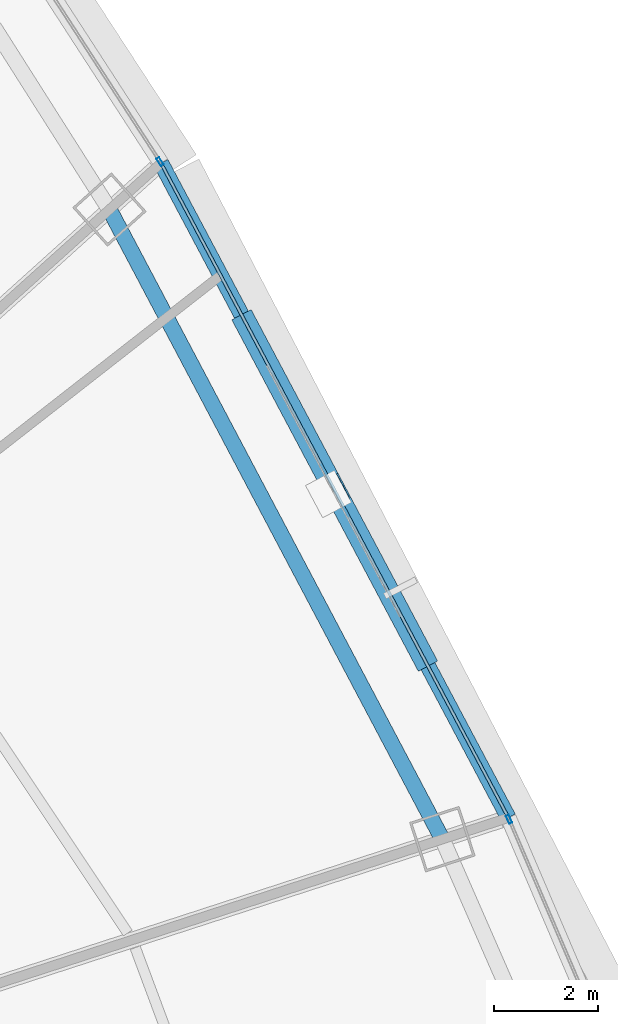
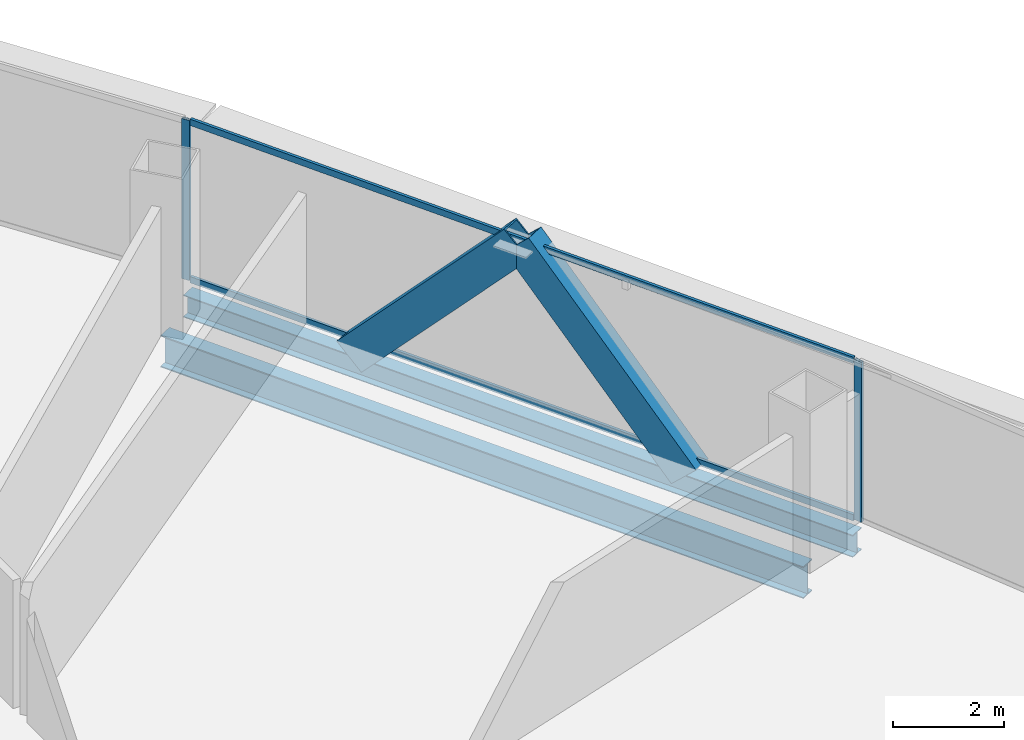
# One storey, part 26 of 41: 6 members, 2 beams, 3 elements without a shape of their own.
"""IFC4 building model written with IfcOpenShell, lengths in metres."""

import ifcopenshell
import ifcopenshell.guid

model = None  # the IFC model being written
_history = None  # IfcOwnerHistory: only IFC2X3 demands one
_inside = {}  # id of a spatial element -> (the spatial element, [elements in it])
_under = {}  # id of a project, library or spatial element -> (it, [spatial elements below it])
_declared = {}  # id of a project -> (the project, [libraries it declares])
_typed = {}  # id of a type object -> (the type object, [elements of that type])
_made_of = {}  # id of a material, layer set ... -> (it, [elements and type objects made of it])


def new_model(schema):
    """Start an empty IFC model of exactly this schema.

    Asked for "IFC4X3", IfcOpenShell would pick the latest addendum, in which some entities
    have other attributes; the version numbers below select the first issue.
    IFC2X3 requires an IfcOwnerHistory on every rooted entity: one is made here for all.
    """
    global model, _history
    if schema == "IFC4X3":
        model = ifcopenshell.file(schema_version=(4, 3, 0, 0))
    else:
        model = ifcopenshell.file(schema=schema)
    _inside.clear()
    _under.clear()
    _declared.clear()
    _typed.clear()
    _made_of.clear()
    _history = None
    if model.schema == "IFC2X3":
        org = make("IfcOrganization", Name="unknown")
        user = make(
            "IfcPersonAndOrganization",
            ThePerson=make("IfcPerson", FamilyName="unknown"),
            TheOrganization=org,
        )
        app = make(
            "IfcApplication",
            ApplicationDeveloper=org,
            Version="unknown",
            ApplicationFullName="unknown",
            ApplicationIdentifier="unknown",
        )
        _history = make(
            "IfcOwnerHistory",
            OwningUser=user,
            OwningApplication=app,
            ChangeAction="ADDED",
            CreationDate=0,
        )
    return model


def make(cls, **values):
    """One entity of the class cls with the attributes given. An attribute that is None is left unset."""
    return model.create_entity(
        cls, **{name: value for name, value in values.items() if value is not None}
    )


def rooted(cls, **values):
    """An entity with a GlobalId (a new one), such as an element, a storey or a relation."""
    return make(cls, GlobalId=ifcopenshell.guid.new(), OwnerHistory=_history, **values)


def si_unit(unit_type, name, prefix=None):
    """IfcSIUnit, for example si_unit("LENGTHUNIT", "METRE", prefix="MILLI")."""
    return make("IfcSIUnit", UnitType=unit_type, Prefix=prefix, Name=name)


def assignment(units):
    """IfcUnitAssignment: the units of a project."""
    return None if units is None else make("IfcUnitAssignment", Units=units)


def point(xyz):
    """IfcCartesianPoint."""
    return None if xyz is None else make("IfcCartesianPoint", Coordinates=xyz)


def direction(xyz):
    """IfcDirection."""
    return None if xyz is None else make("IfcDirection", DirectionRatios=xyz)


def frame(location, z_axis=None, x_axis=None):
    """IfcAxis2Placement3D, a coordinate frame: its origin and axes. An axis left out is left unset."""
    return make(
        "IfcAxis2Placement3D",
        Location=point(location),
        Axis=direction(z_axis),
        RefDirection=direction(x_axis),
    )


def frame_2d(location, x_axis=None):
    """IfcAxis2Placement2D, a coordinate frame in the plane: its origin and x axis."""
    return make(
        "IfcAxis2Placement2D", Location=point(location), RefDirection=direction(x_axis)
    )


def origin():
    """The frame at (0, 0, 0) with its axes left unset."""
    return frame((0.0, 0.0, 0.0))


def origin_2d():
    """The frame at (0, 0) in the plane with its x axis left unset."""
    return frame_2d((0.0, 0.0))


def place(relative_to, where):
    """IfcLocalPlacement: puts the frame where relative to a parent placement (None: the world)."""
    return make(
        "IfcLocalPlacement", PlacementRelTo=relative_to, RelativePlacement=where
    )


def context(
    kind, dimensions, precision=None, world=None, true_north=None, identifier=None
):
    """IfcGeometricRepresentationContext, for example the 3D "Model" context."""
    return make(
        "IfcGeometricRepresentationContext",
        ContextIdentifier=identifier,
        ContextType=kind,
        CoordinateSpaceDimension=dimensions,
        Precision=precision,
        WorldCoordinateSystem=world,
        TrueNorth=true_north,
    )


def subcontext(parent, identifier, kind, view, scale=None):
    """IfcGeometricRepresentationSubContext, for example "Body" below "Model"."""
    return make(
        "IfcGeometricRepresentationSubContext",
        ContextIdentifier=identifier,
        ContextType=kind,
        ParentContext=parent,
        TargetScale=scale,
        TargetView=view,
    )


def project(units=None, contexts=None):
    """IfcProject with its units and contexts."""
    return rooted(
        "IfcProject",
        Name="project",
        RepresentationContexts=contexts,
        UnitsInContext=assignment(units),
    )


def spatial(cls, under=None, at=None, **own):
    """A site, building, storey or space (cls), placed at a placement, below another one or the project."""
    s = rooted(cls, ObjectPlacement=at, **own)
    if under is not None:
        _under.setdefault(under.id(), (under, []))[1].append(s)
    return s


def profile(cls, at=None, kind="AREA", **sizes):
    """A parametric profile (cls). Its sizes go by their IFC names, for example OverallWidth=200.0."""
    return make(cls, ProfileType=kind, Position=at, **sizes)


def hollow_rectangle(**sizes):
    """IfcRectangleHollowProfileDef."""
    return profile("IfcRectangleHollowProfileDef", **sizes)


def i_section(**sizes):
    """IfcIShapeProfileDef."""
    return profile("IfcIShapeProfileDef", **sizes)


def extrude(swept, where, along, depth):
    """IfcExtrudedAreaSolid: the profile swept, set in the frame where, extruded along a direction by depth."""
    return make(
        "IfcExtrudedAreaSolid",
        SweptArea=swept,
        Position=where,
        ExtrudedDirection=direction(along),
        Depth=depth,
    )


def shape(context_of_items, identifier, shape_type, items):
    """IfcShapeRepresentation: the items that make up one representation, for example the "Body"."""
    return make(
        "IfcShapeRepresentation",
        ContextOfItems=context_of_items,
        RepresentationIdentifier=identifier,
        RepresentationType=shape_type,
        Items=items,
    )


def source(mapping_origin, context_of_items, identifier, shape_type, items):
    """IfcRepresentationMap: a shape defined once, which mapped items show again and again."""
    return make(
        "IfcRepresentationMap",
        MappingOrigin=mapping_origin,
        MappedRepresentation=shape(context_of_items, identifier, shape_type, items),
    )


def transform(
    local_origin,
    x_axis=None,
    y_axis=None,
    z_axis=None,
    scale=None,
    scale2=None,
    scale3=None,
    uniform=True,
):
    """IfcCartesianTransformationOperator3D, or its non-uniform kind. x_axis, y_axis, z_axis: its Axis1, 2, 3."""
    if uniform:
        return make(
            "IfcCartesianTransformationOperator3D",
            Axis1=direction(x_axis),
            Axis2=direction(y_axis),
            LocalOrigin=point(local_origin),
            Scale=scale,
            Axis3=direction(z_axis),
        )
    return make(
        "IfcCartesianTransformationOperator3DnonUniform",
        Axis1=direction(x_axis),
        Axis2=direction(y_axis),
        LocalOrigin=point(local_origin),
        Scale=scale,
        Axis3=direction(z_axis),
        Scale2=scale2,
        Scale3=scale3,
    )


def mapped(mapping_source, mapping_target):
    """IfcMappedItem: shows the shape of a source again, moved by a transform."""
    return make(
        "IfcMappedItem", MappingSource=mapping_source, MappingTarget=mapping_target
    )


def material(Name=None, Category=None):
    """IfcMaterial."""
    return make("IfcMaterial", Name=Name, Category=Category)


def layer(
    of_material, thickness, ventilated=None, Name=None, Category=None, Priority=None
):
    """IfcMaterialLayer: one layer of a wall or slab, of a material (None: an air gap)."""
    return make(
        "IfcMaterialLayer",
        Material=of_material,
        LayerThickness=thickness,
        IsVentilated=ventilated,
        Name=Name,
        Category=Category,
        Priority=Priority,
    )


def layer_set(layers, Name=None):
    """IfcMaterialLayerSet."""
    return make("IfcMaterialLayerSet", MaterialLayers=layers, LayerSetName=Name)


def material_profile(
    of_material, cross_section, Name=None, Category=None, Priority=None
):
    """IfcMaterialProfile: a cross section and its material."""
    return make(
        "IfcMaterialProfile",
        Name=Name,
        Material=of_material,
        Profile=cross_section,
        Priority=Priority,
        Category=Category,
    )


def profile_set(profiles, Name=None, composite=None):
    """IfcMaterialProfileSet."""
    return make(
        "IfcMaterialProfileSet",
        Name=Name,
        MaterialProfiles=profiles,
        CompositeProfile=composite,
    )


def made_of(thing, what):
    """Note that an element or type object is made of a material, layer set ...; save() writes the relation."""
    if what is not None:
        _made_of.setdefault(what.id(), (what, []))[1].append(thing)
    return thing


def type_object(cls, material=None, **own):
    """A type object (cls), such as IfcWallType, which elements share."""
    return made_of(rooted(cls, **own), material)


def element(
    cls,
    number,
    at=None,
    inside=None,
    cuts=None,
    type_object=None,
    material=None,
    context=None,
    identifier="Body",
    shape_type=None,
    held_by="IfcProductDefinitionShape",
    body=None,
    shapes=None,
    **own,
):
    """One element of the class cls, such as IfcWall. Its Tag is "e" and its number.

    at: its placement. inside: the storey or other place that contains it. cuts: it is an
    opening in that element (IfcRelVoidsElement). A single representation is given by context,
    identifier, shape_type and body (its items); several are given by shapes. held_by: the class
    of the entity that holds the representations. save() writes the other relations.
    """
    e = rooted(cls, Tag="e%d" % number, ObjectPlacement=at, **own)
    if body is not None:
        shapes = [shape(context, identifier, shape_type, body)]
    if shapes is not None:
        e.Representation = make(held_by, Representations=shapes)
    if inside is not None:
        _inside.setdefault(inside.id(), (inside, []))[1].append(e)
    if cuts is not None:
        rooted(
            "IfcRelVoidsElement", RelatingBuildingElement=cuts, RelatedOpeningElement=e
        )
    if type_object is not None:
        _typed.setdefault(type_object.id(), (type_object, []))[1].append(e)
    return made_of(e, material)


def aggregate(whole, parts):
    """IfcRelAggregates: a whole, such as a stair, and the parts it consists of."""
    return rooted("IfcRelAggregates", RelatingObject=whole, RelatedObjects=parts)


def save(model, path):
    """Write the relations noted so far, then the file.

    IfcRelAggregates (storeys below a building ...), IfcRelContainedInSpatialStructure (elements
    in a storey), IfcRelDefinesByType, IfcRelAssociatesMaterial and IfcRelDeclares: one each for
    every whole, place, type object, material and project.
    """
    for whole, parts in _under.values():
        aggregate(whole, parts)
    for where, things in _inside.values():
        rooted(
            "IfcRelContainedInSpatialStructure",
            RelatedElements=things,
            RelatingStructure=where,
        )
    for kind, things in _typed.values():
        rooted("IfcRelDefinesByType", RelatedObjects=things, RelatingType=kind)
    for what, things in _made_of.values():
        rooted("IfcRelAssociatesMaterial", RelatedObjects=things, RelatingMaterial=what)
    for by, libraries in _declared.values():
        rooted("IfcRelDeclares", RelatingContext=by, RelatedDefinitions=libraries)
    model.write(path)


model = new_model("IFC4")

# Units and contexts
model_context = context("Model", 3, precision=1e-05, world=origin(), true_north=direction((0.0, 1.0)))
body_context = subcontext(model_context, "Body", "Model", "MODEL_VIEW")
ifc_project = project(units=[si_unit("LENGTHUNIT", "METRE"), si_unit("AREAUNIT", "SQUARE_METRE"), si_unit("VOLUMEUNIT", "CUBIC_METRE"), si_unit("PLANEANGLEUNIT", "RADIAN"), si_unit("MASSUNIT", "GRAM", prefix="KILO"), si_unit("THERMODYNAMICTEMPERATUREUNIT", "KELVIN"), si_unit("POWERUNIT", "WATT")], contexts=[model_context])

# Site, building, storey
site_placement = place(None, origin())
site = spatial("IfcSite", under=ifc_project, at=site_placement, CompositionType="ELEMENT")
building_placement = place(site_placement, origin())
building = spatial("IfcBuilding", under=site, at=building_placement, Name="Yunzhuo Pagoda Commons", CompositionType="ELEMENT")
storey_placement = place(building_placement, frame((0.0, 0.0, 115.3798828125)))
storey = spatial("IfcBuildingStorey", under=building, at=storey_placement, Name="L29", CompositionType="ELEMENT", Elevation=115.3798828125)

# Beams
ifc_material_1 = material(Name="Structural steel Q355B", Category="steel")
ifc_material_profile_1 = material_profile(ifc_material_1, i_section(OverallWidth=0.300048828125, OverallDepth=0.699951171875, WebThickness=0.012939453125, FlangeThickness=0.02392578125, at=origin_2d()), Name="Structural steel Q355B")
ifc_profile_set_1 = profile_set([ifc_material_profile_1], Name="Structural steel Q355B")
beam_type_1 = type_object("IfcBeamType", Name="B-RG1 Beam HN 700x300x13x24", PredefinedType="BEAM", material=ifc_profile_set_1)
shared_shape_1 = source(origin(), body_context, "Body", "SweptSolid", [
    extrude(i_section(OverallWidth=0.300048828125, OverallDepth=0.699951171875, WebThickness=0.012939453125, FlangeThickness=0.02392578125, at=origin_2d()), origin(), (0.0, 0.0, 1.0), 13.66748046875),
])
beam_1_placement = place(storey_placement, frame((78.99072265625, 43.76953125, -0.609619140625), z_axis=(-0.467383716456, 0.88405455804, 0.0), x_axis=(-0.88405455804, -0.467383716456, 0.0)))
element("IfcBeam", 1, at=beam_1_placement, inside=storey, type_object=beam_type_1, Name="L29 column-ring beam 6", PredefinedType="BEAM", context=body_context, shape_type="MappedRepresentation", body=[
    mapped(shared_shape_1, transform((0.0, 0.0, 0.0), scale=1.0)),
])
ifc_material_profile_2 = material_profile(ifc_material_1, i_section(OverallWidth=0.300048828125, OverallDepth=0.488037109375, WebThickness=0.010986328125, FlangeThickness=0.01806640625, at=origin_2d()), Name="Structural steel Q355B")
ifc_profile_set_2 = profile_set([ifc_material_profile_2], Name="Structural steel Q355B")
beam_type_2 = type_object("IfcBeamType", Name="B-SP1 Beam HM 488x300x11x18", PredefinedType="BEAM", material=ifc_profile_set_2)
shared_shape_2 = source(origin(), body_context, "Body", "SweptSolid", [
    extrude(i_section(OverallWidth=0.300048828125, OverallDepth=0.488037109375, WebThickness=0.010986328125, FlangeThickness=0.01806640625, at=origin_2d()), origin(), (0.0, 0.0, 1.0), 14.220947265625),
])
beam_2_placement = place(storey_placement, frame((80.25830078125, 44.181640625, -0.50390625), z_axis=(-0.468761461949, 0.883324794055, 0.0), x_axis=(-0.883324794055, -0.468761461949, 0.0)))
element("IfcBeam", 2, at=beam_2_placement, inside=storey, type_object=beam_type_2, Name="L29 facade edge spandrel beam F2.2", PredefinedType="BEAM", context=body_context, shape_type="MappedRepresentation", body=[
    mapped(shared_shape_2, transform((0.0, 0.0, 0.0), scale=1.0)),
])

# Members
ifc_material_2 = material(Name="Structural steel Q420B", Category="steel")
ifc_material_profile_3 = material_profile(ifc_material_2, hollow_rectangle(XDim=0.419921875, YDim=0.719970703125, WallThickness=0.028076171875, at=origin_2d()), Name="Structural steel Q420B")
ifc_profile_set_3 = profile_set([ifc_material_profile_3], Name="Structural steel Q420B")
member_type_1 = type_object("IfcMemberType", Name="M-DL1 Brace BOX 720x420x28", PredefinedType="BRACE", material=ifc_profile_set_3)
shared_shape_3 = source(origin(), body_context, "Body", "SweptSolid", [
    extrude(hollow_rectangle(XDim=0.419921875, YDim=0.719970703125, WallThickness=0.028076171875, at=origin_2d()), origin(), (0.0, 0.0, 1.0), 5.189208984375),
])
for number, where, z_axis, x_axis, name in (
    (3, (78.591796875, 47.32177734375, -0.259765625), (-0.321150072544, 0.605226272079, 0.728398098906), (-0.883343218339, -0.468726741945, 0.0), "L29 facade diamond brace F2.2L"),
    (4, (75.258544921875, 53.602783203125, -0.259765625), (0.321201412857, -0.605187311202, 0.7284078327), (0.88329969495, 0.468808755145, 0.0), "L29 facade diamond brace F2.2R"),
):
    element("IfcMember", number, at=place(storey_placement, frame(where, z_axis=z_axis, x_axis=x_axis)), inside=storey, type_object=member_type_1, Name=name, PredefinedType="BRACE", context=body_context, shape_type="MappedRepresentation", body=[
        mapped(shared_shape_3, transform((0.0, 0.0, 0.0), scale=1.0)),
    ])

# Curtain wall, members
ifc_material_3 = material(Name="Anodized aluminium 6063-T6", Category="aluminium")
ifc_layer = layer(ifc_material_3, 0.1650390625)
ifc_layer_set = layer_set([ifc_layer], Name="Anodized aluminium 6063-T6")
curtain_wall_type = type_object("IfcCurtainWallType", Name="CW-LOW Low-Zone Ribbon Curtain Wall", PredefinedType="NOTDEFINED", material=ifc_layer_set)
curtain_wall_1_placement = place(storey_placement, origin())
curtain_wall_1 = element("IfcCurtainWall", 5, at=curtain_wall_1_placement, inside=storey, type_object=curtain_wall_type, Name="L29 curtain wall CW-L29-F2B3", PredefinedType="NOTDEFINED")
ifc_material_profile_4 = material_profile(ifc_material_3, hollow_rectangle(XDim=0.06005859375, YDim=0.139892578125, WallThickness=0.00341796875, at=origin_2d()), Name="Anodized aluminium 6063-T6")
ifc_profile_set_4 = profile_set([ifc_material_profile_4], Name="Anodized aluminium 6063-T6")
member_type_2 = type_object("IfcMemberType", Name="CW-LOW-T Transom RHS 140x60x3.5", PredefinedType="USERDEFINED", material=ifc_profile_set_4)
shared_shape_4 = source(origin(), body_context, "Body", "SweptSolid", [
    extrude(hollow_rectangle(XDim=0.06005859375, YDim=0.139892578125, WallThickness=0.00341796875, at=origin_2d()), origin(), (0.0, 0.0, 1.0), 14.0908203125),
])
member_1_placement = place(storey_placement, frame((80.227783203125, 44.239013671875, 0.030029296875), z_axis=(-0.468760780126, 0.883325155883, 0.0), x_axis=(-0.883325155883, -0.468760780126, 0.0)))
member_1 = element("IfcMember", 6, at=member_1_placement, type_object=member_type_2, Name="CW transom 1.1", ObjectType="TRANSOM", PredefinedType="USERDEFINED", context=body_context, shape_type="MappedRepresentation", body=[
    mapped(shared_shape_4, transform((0.0, 0.0, 0.0), scale=1.0)),
])
member_2_placement = place(storey_placement, frame((80.227783203125, 44.239013671875, 3.490234375), z_axis=(-0.468760780126, 0.883325155883, 0.0), x_axis=(-0.883325155883, -0.468760780126, 0.0)))
member_2 = element("IfcMember", 7, at=member_2_placement, type_object=member_type_2, Name="CW transom 1.2", ObjectType="TRANSOM", PredefinedType="USERDEFINED", context=body_context, shape_type="MappedRepresentation", body=[
    mapped(shared_shape_4, transform((0.0, 0.0, 0.0), scale=1.0)),
])
aggregate(curtain_wall_1, [member_1, member_2])

# Curtain wall, member
curtain_wall_2_placement = place(storey_placement, origin())
curtain_wall_2 = element("IfcCurtainWall", 8, at=curtain_wall_2_placement, inside=storey, type_object=curtain_wall_type, Name="L29 curtain wall CW-L29-F2B2", PredefinedType="NOTDEFINED")
ifc_material_profile_5 = material_profile(ifc_material_3, hollow_rectangle(XDim=0.06494140625, YDim=0.1650390625, WallThickness=0.00390625, at=origin_2d()), Name="Anodized aluminium 6063-T6")
ifc_profile_set_5 = profile_set([ifc_material_profile_5], Name="Anodized aluminium 6063-T6")
member_type_3 = type_object("IfcMemberType", Name="CW-LOW-M Mullion RHS 165x65x4", PredefinedType="MULLION", material=ifc_profile_set_5)
shared_shape_5 = source(origin(), body_context, "Body", "SweptSolid", [
    extrude(hollow_rectangle(XDim=0.06494140625, YDim=0.1650390625, WallThickness=0.00390625, at=origin_2d()), origin(), (0.0, 0.0, 1.0), 3.52001953125),
])
member_3_placement = place(storey_placement, frame((80.27099609375, 44.1513671875, 0.0), z_axis=(0.0, 0.0, 1.0), x_axis=(-0.919648900825, -0.392741517046, 0.0)))
member_3 = element("IfcMember", 9, at=member_3_placement, type_object=member_type_3, Name="CW mullion 2", PredefinedType="MULLION", context=body_context, shape_type="MappedRepresentation", body=[
    mapped(shared_shape_5, transform((0.0, 0.0, 0.0), scale=1.0)),
])
aggregate(curtain_wall_2, [member_3])

curtain_wall_3_placement = place(storey_placement, origin())
curtain_wall_3 = element("IfcCurtainWall", 10, at=curtain_wall_3_placement, inside=storey, type_object=curtain_wall_type, Name="L29 curtain wall CW-L29-F2B4", PredefinedType="NOTDEFINED")
member_4_placement = place(storey_placement, frame((73.574462890625, 56.7705078125, 0.0), z_axis=(0.0, 0.0, 1.0), x_axis=(-0.839105842503, -0.543968183884, 0.0)))
member_4 = element("IfcMember", 11, at=member_4_placement, type_object=member_type_3, Name="CW mullion 1", PredefinedType="MULLION", context=body_context, shape_type="MappedRepresentation", body=[
    mapped(shared_shape_5, transform((0.0, 0.0, 0.0), scale=1.0)),
])
aggregate(curtain_wall_3, [member_4])

save(model, "model.ifc")
